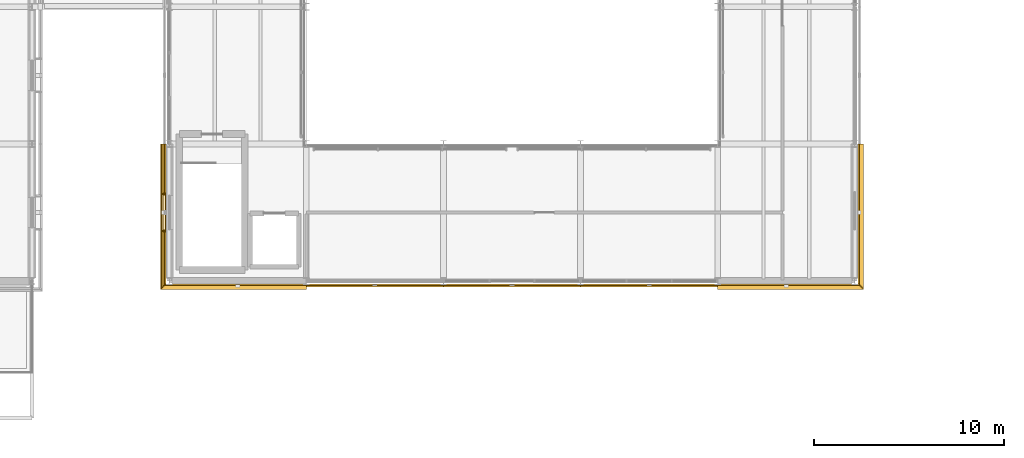
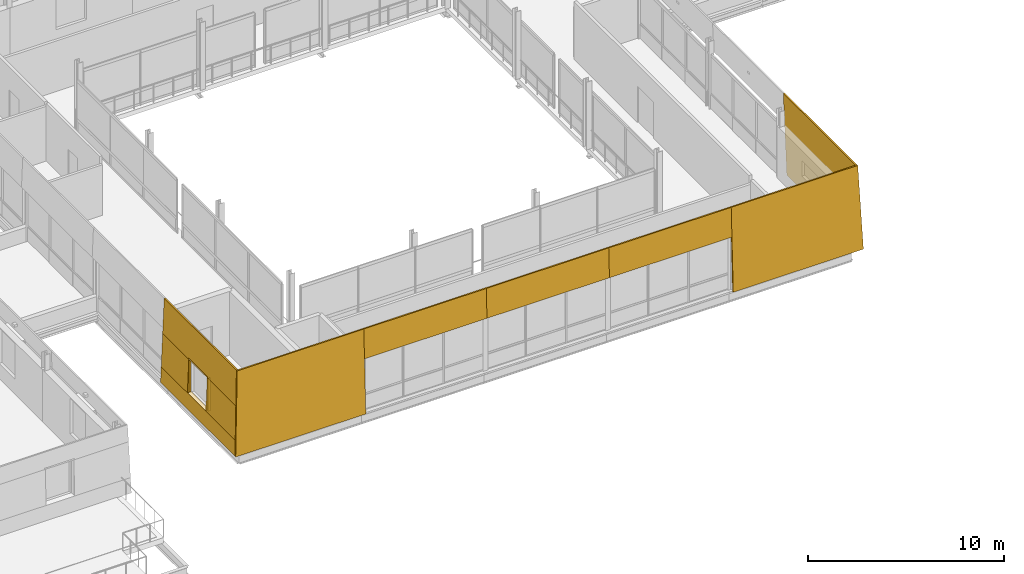
# One storey, part 79 of 91: 14 coverings.
"""IFC4 building model written with IfcOpenShell, lengths in metres."""

from ifc_helpers import new_model, si_unit, direction, frame, origin, place, context, subcontext, project, spatial, polyline, outline, extrude, material, layer, layer_set, type_object, element, save


model = new_model("IFC4")

# Units and contexts
model_context = context("Model", 3, precision=1e-05, world=origin(), true_north=direction((0.0, 1.0)))
body_context = subcontext(model_context, "Body", "Model", "MODEL_VIEW")
ifc_project = project(units=[si_unit("LENGTHUNIT", "METRE"), si_unit("AREAUNIT", "SQUARE_METRE"), si_unit("VOLUMEUNIT", "CUBIC_METRE"), si_unit("PLANEANGLEUNIT", "RADIAN"), si_unit("MASSUNIT", "GRAM", prefix="KILO")], contexts=[model_context])

# Site, building, storey
site_placement = place(None, origin())
site = spatial("IfcSite", under=ifc_project, at=site_placement, CompositionType="ELEMENT")
building_placement = place(site_placement, origin())
building = spatial("IfcBuilding", under=site, at=building_placement, Name="Narikvali Park Central Library", CompositionType="ELEMENT")
storey_placement = place(building_placement, frame((0.0, 0.0, 14.39990234375)))
storey = spatial("IfcBuildingStorey", under=building, at=storey_placement, Name="L03", CompositionType="ELEMENT", Elevation=14.39990234375)

# Coverings
ifc_material = material(Name="White Honed Limestone Cladding", Category="masonry")
ifc_layer_1 = layer(ifc_material, 0.0849609375, Name="White Honed Limestone Cladding")
ifc_layer_set_1 = layer_set([ifc_layer_1], Name="White Honed Limestone Cladding")
covering_type_1 = type_object("IfcCoveringType", Name="Battered White Limestone Facade Cladding Panel", PredefinedType="CLADDING", material=ifc_layer_set_1)
covering_1_placement = place(storey_placement, frame((64.349365234375, 57.1494140625, 0.0), z_axis=(0.0, -0.999164228006, 0.040875976713), x_axis=(1.0, 0.0, 0.0)))
element("IfcCovering", 1, at=covering_1_placement, inside=storey, type_object=covering_type_1, Name="V1 L03 S Battered Limestone Panel B01", PredefinedType="CLADDING", context=body_context, shape_type="SweptSolid", body=[
    extrude(outline(polyline([(0.0, 0.0), (7.650634765625, 0.0), (7.650634765625, 5.15445443303216), (0.210693359375, 5.15445443303216), (0.0, 0.0)])), origin(), (0.0, 0.0, -1.0), 0.0849609375),
])
for number, where, z_axis, x_axis, name in (
    (2, (72.0, 57.285888671875, 3.340087890625), (0.0, -0.999160414752, 0.040969080939), (1.0, 0.0, 0.0), "V1 L03 S Battered Limestone Spandrel Header B02"),
    (3, (79.199951171875, 57.285888671875, 3.340087890625), (0.0, -0.999160414752, 0.040969080939), (1.0, 0.0, 0.0), "V1 L03 S Battered Limestone Spandrel Header B03"),
):
    element("IfcCovering", number, at=place(storey_placement, frame(where, z_axis=z_axis, x_axis=x_axis)), inside=storey, type_object=covering_type_1, Name=name, PredefinedType="CLADDING", context=body_context, shape_type="SweptSolid", body=[
        extrude(outline(polyline([(0.0, 0.0), (7.199951171875, 0.0), (7.199951171875, 1.8115795692322738), (0.0, 1.8115795692322738), (0.0, 0.0)])), origin(), (0.0, 0.0, -1.0), 0.0849609375),
    ])
covering_2_placement = place(storey_placement, frame((86.39990234375, 57.285888671875, 3.340087890625), z_axis=(0.0, -0.999160414752, 0.040969080939), x_axis=(1.0, 0.0, 0.0)))
element("IfcCovering", 4, at=covering_2_placement, inside=storey, type_object=covering_type_1, Name="V1 L03 S Battered Limestone Spandrel Header B04", PredefinedType="CLADDING", context=body_context, shape_type="SweptSolid", body=[
    extrude(outline(polyline([(0.0, 0.0), (7.2001953125, 0.0), (7.2001953125, 1.8115795692322736), (0.0, 1.8115795692322736), (0.0, 0.0)])), origin(), (0.0, 0.0, -1.0), 0.0849609375),
])
covering_3_placement = place(storey_placement, frame((93.60009765625, 57.1494140625, 0.0), z_axis=(0.0, -0.999164228006, 0.040875976713), x_axis=(1.0, 0.0, 0.0)))
element("IfcCovering", 5, at=covering_3_placement, inside=storey, type_object=covering_type_1, Name="V1 L03 S Battered Limestone Panel B05", PredefinedType="CLADDING", context=body_context, shape_type="SweptSolid", body=[
    extrude(outline(polyline([(0.0, 0.0), (7.650634765625, 0.0), (7.43994140625, 5.15445443303216), (0.0, 5.15445443303216), (0.0, 0.0)])), origin(), (0.0, 0.0, -1.0), 0.0849609375),
])
covering_4_placement = place(storey_placement, frame((101.250732421875, 57.234375, 0.0), z_axis=(0.999164228006, 0.0, 0.040875976713), x_axis=(0.0, 1.0, 0.0)))
element("IfcCovering", 6, at=covering_4_placement, inside=storey, type_object=covering_type_1, Name="V1 L03 E Battered Limestone Panel B01", PredefinedType="CLADDING", context=body_context, shape_type="SweptSolid", body=[
    extrude(outline(polyline([(0.0, 0.0), (7.565673828125, 0.0), (7.565673828125, 5.154454433032161), (0.210693359375, 5.154454433032161), (0.0, 0.0)])), origin(), (0.0, 0.0, -1.0), 0.0849609375),
])
covering_5_placement = place(storey_placement, frame((64.349365234375, 64.800048828125, 0.0), z_axis=(-0.999166557991, 0.0, 0.040818983227), x_axis=(0.0, -1.0, 0.0)))
element("IfcCovering", 7, at=covering_5_placement, inside=storey, type_object=covering_type_1, Name="V1 L03 W Battered Limestone Spandrel B05", PredefinedType="CLADDING", context=body_context, shape_type="SweptSolid", body=[
    extrude(outline(polyline([(0.0, 0.0), (7.565673828125, 0.0), (7.52685546875, 0.9509879057703832), (0.0, 0.9509879057703832), (0.0, 0.0)])), origin(), (0.0, 0.0, -1.0), 0.0849609375),
])
covering_6_placement = place(storey_placement, frame((64.471923828125, 64.800048828125, 3.0), z_axis=(-0.999160962129, 0.0, 0.04095572923), x_axis=(0.0, -1.0, 0.0)))
element("IfcCovering", 8, at=covering_6_placement, inside=storey, type_object=covering_type_1, Name="V1 L03 W Battered Limestone Lintel B05", PredefinedType="CLADDING", context=body_context, shape_type="SweptSolid", body=[
    extrude(outline(polyline([(0.0, 0.0), (7.443115234375, 0.0), (7.35498046875, 2.1519520536438415), (0.0, 2.1519520536438415), (0.0, 0.0)])), origin(), (0.0, 0.0, -1.0), 0.0849609375),
])
covering_7_placement = place(storey_placement, frame((64.38818359375, 64.800048828125, 0.9501953125), z_axis=(-0.999166567968, 0.0, 0.04081873902), x_axis=(0.0, -1.0, 0.0)))
element("IfcCovering", 9, at=covering_7_placement, inside=storey, type_object=covering_type_1, Name="V1 L03 W Battered Limestone Jamb Pier L B05", PredefinedType="CLADDING", context=body_context, shape_type="SweptSolid", body=[
    extrude(outline(polyline([(0.0, 0.0), (2.66015625, 0.0), (2.66015625, 2.0515144853863823), (0.0, 2.0515144853863823), (0.0, 0.0)])), origin(), (0.0, 0.0, -1.0), 0.0849609375),
])
covering_8_placement = place(storey_placement, frame((64.38818359375, 60.260009765625, 0.9501953125), z_axis=(-0.999166567968, 0.0, 0.04081873902), x_axis=(0.0, -1.0, 0.0)))
element("IfcCovering", 10, at=covering_8_placement, inside=storey, type_object=covering_type_1, Name="V1 L03 W Battered Limestone Jamb Pier R B05", PredefinedType="CLADDING", context=body_context, shape_type="SweptSolid", body=[
    extrude(outline(polyline([(0.0, 0.0), (2.98681640625, 0.0), (2.903076171875, 2.0515144853863823), (0.0, 2.0515144853863823), (0.0, 0.0)])), origin(), (0.0, 0.0, -1.0), 0.0849609375),
])
ifc_layer_2 = layer(ifc_material, 0.080078125, Name="White Honed Limestone Cladding")
ifc_layer_set_2 = layer_set([ifc_layer_2], Name="White Honed Limestone Cladding")
covering_type_2 = type_object("IfcCoveringType", Name="Deep Carved White Limestone Window Reveal", PredefinedType="CLADDING", material=ifc_layer_set_2)
covering_9_placement = place(storey_placement, frame((0.0, 0.0, 3.0)))
element("IfcCovering", 11, at=covering_9_placement, inside=storey, type_object=covering_type_2, Name="Deep Stone Reveal Head V1-RVL-L03-W-B05", PredefinedType="CLADDING", context=body_context, shape_type="SweptSolid", body=[
    extrude(outline(polyline([(64.614990234375, 62.179931640625), (64.614990234375, 60.219970703125), (64.471923828125, 60.219970703125), (64.471923828125, 62.179931640625), (64.614990234375, 62.179931640625)])), origin(), (0.0, 0.0, 1.0), 0.080078125),
])
covering_10_placement = place(storey_placement, frame((0.0, 0.0, 0.8701171875)))
element("IfcCovering", 12, at=covering_10_placement, inside=storey, type_object=covering_type_2, Name="Deep Stone Reveal Sill V1-RVL-L03-W-B05", PredefinedType="CLADDING", context=body_context, shape_type="SweptSolid", body=[
    extrude(outline(polyline([(64.614990234375, 62.179931640625), (64.614990234375, 60.219970703125), (64.38818359375, 60.219970703125), (64.38818359375, 62.179931640625), (64.614990234375, 62.179931640625)])), origin(), (0.0, 0.0, 1.0), 0.080078125),
])
covering_11_placement = place(storey_placement, frame((0.0, 0.0, 0.9501953125)))
element("IfcCovering", 13, at=covering_11_placement, inside=storey, type_object=covering_type_2, Name="Deep Stone Reveal Jamb L V1-RVL-L03-W-B05", PredefinedType="CLADDING", context=body_context, shape_type="SweptSolid", body=[
    extrude(outline(polyline([(64.614990234375, 62.219970703125), (64.614990234375, 62.139892578125), (64.471923828125, 62.139892578125), (64.471923828125, 62.219970703125), (64.614990234375, 62.219970703125)])), origin(), (0.0, 0.0, 1.0), 2.0498046875),
])
covering_12_placement = place(storey_placement, frame((0.0, 0.0, 0.9501953125)))
element("IfcCovering", 14, at=covering_12_placement, inside=storey, type_object=covering_type_2, Name="Deep Stone Reveal Jamb R V1-RVL-L03-W-B05", PredefinedType="CLADDING", context=body_context, shape_type="SweptSolid", body=[
    extrude(outline(polyline([(64.614990234375, 60.260009765625), (64.614990234375, 60.179931640625), (64.471923828125, 60.179931640625), (64.471923828125, 60.260009765625), (64.614990234375, 60.260009765625)])), origin(), (0.0, 0.0, 1.0), 2.0498046875),
])

save(model, "model.ifc")
